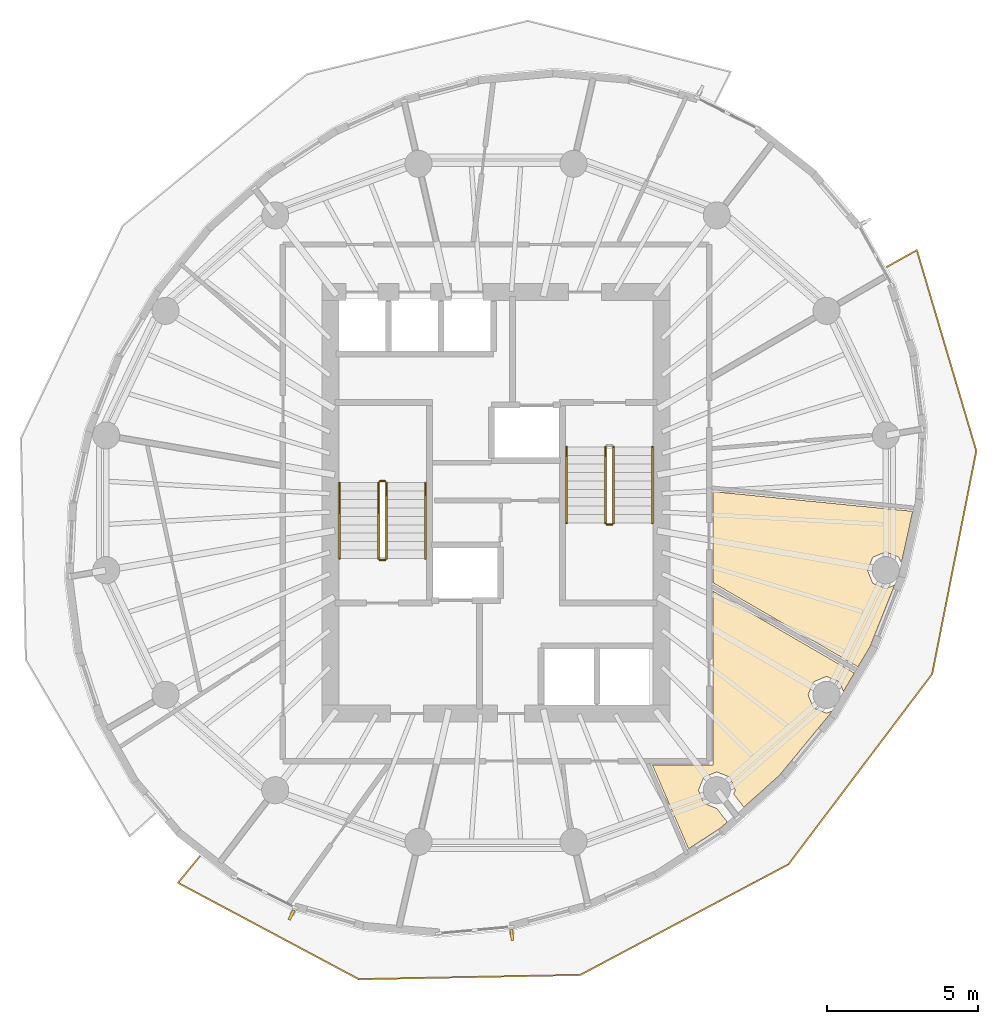
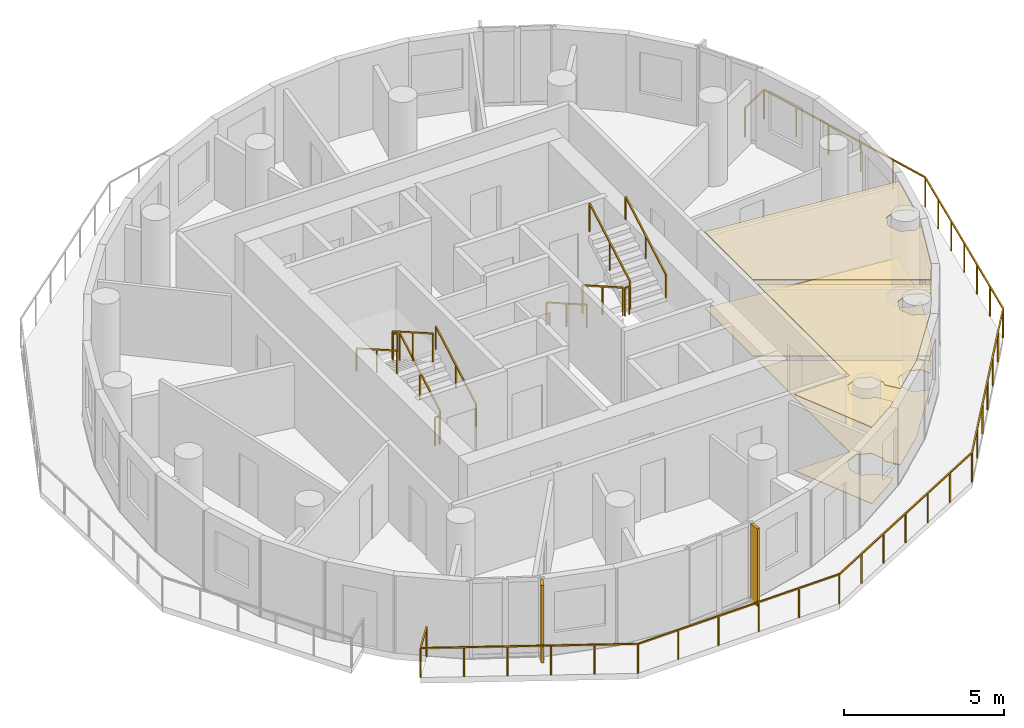
# One storey, part 8 of 10: 12 railings, 4 coverings, 2 shading devices.
"""IFC4 building model written with IfcOpenShell, lengths in metres."""

from ifc_helpers import new_model, si_unit, direction, frame, origin, origin_2d, place, context, subcontext, project, spatial, polyline, rectangle, outline, extrude, material, layer, layer_set, type_object, element, save


model = new_model("IFC4")

# Units and contexts
model_context = context("Model", 3, precision=1e-05, world=origin(), true_north=direction((0.0, 1.0)))
body_context = subcontext(model_context, "Body", "Model", "MODEL_VIEW")
ifc_project = project(units=[si_unit("LENGTHUNIT", "METRE"), si_unit("AREAUNIT", "SQUARE_METRE"), si_unit("VOLUMEUNIT", "CUBIC_METRE"), si_unit("PLANEANGLEUNIT", "RADIAN"), si_unit("MASSUNIT", "GRAM", prefix="KILO")], contexts=[model_context])

# Site, building, storey
site_placement = place(None, origin())
site = spatial("IfcSite", under=ifc_project, at=site_placement, CompositionType="ELEMENT")
building_placement = place(site_placement, origin())
building = spatial("IfcBuilding", under=site, at=building_placement, Name="Veldorim Arch Residences", CompositionType="ELEMENT")
storey_placement = place(building_placement, frame((0.0, 0.0, 188.639892578125)))
storey = spatial("IfcBuildingStorey", under=building, at=storey_placement, Name="L56", CompositionType="ELEMENT", Elevation=188.639892578125)

# Railings
ifc_material_1 = material(Name="Aluminium", Category="aluminium")
railing_type_1 = type_object("IfcRailingType", Name="Balcony & Terrace Laminated Glass Balustrade 1150", PredefinedType="BALUSTRADE", material=ifc_material_1)
railing_1_placement = place(storey_placement, frame((22.165283203125, 12.267822265625, 0.0)))
element("IfcRailing", 1, at=railing_1_placement, inside=storey, type_object=railing_type_1, Name="L56 crescent balcony safety balustrade B", PredefinedType="BALUSTRADE", context=body_context, shape_type="SweptSolid", body=[
    extrude(rectangle(XDim=0.048095703125, YDim=0.048095703125, at=origin_2d()), frame((0.0, 0.0, 1.1259765625), z_axis=(-0.63473942336, -0.772726254525, 0.0), x_axis=(0.772726254525, -0.63473942336, 0.0)), (0.0, 0.0, 1.0), 1.150146484375),
    extrude(rectangle(XDim=0.048095703125, YDim=0.048095703125, at=origin_2d()), frame((-0.72998046875, -0.888671875, 1.1259765625), z_axis=(0.882440269535, -0.470424458019, 0.0), x_axis=(0.470424458019, 0.882440269535, 0.0)), (0.0, 0.0, 1.0), 6.80908203125),
    extrude(rectangle(XDim=0.048095703125, YDim=0.048095703125, at=origin_2d()), frame((5.278564453125, -4.091796875, 1.1259765625), z_axis=(0.999813480167, 0.019313334178, 0.0), x_axis=(-0.019313334178, 0.999813480167, 0.0)), (0.0, 0.0, 1.0), 7.357177734375),
    extrude(rectangle(XDim=0.048095703125, YDim=0.048095703125, at=origin_2d()), frame((12.63427734375, -3.94970703125, 1.1259765625), z_axis=(0.883151640335, 0.469087603944, 0.0), x_axis=(-0.469087603944, 0.883151640335, 0.0)), (0.0, 0.0, 1.0), 7.831298828125),
    extrude(rectangle(XDim=0.048095703125, YDim=0.048095703125, at=origin_2d()), frame((19.550537109375, -0.276123046875, 1.1259765625), z_axis=(0.602542160694, 0.798087053263, 0.0), x_axis=(-0.798087053263, 0.602542160694, 0.0)), (0.0, 0.0, 1.0), 7.91943359375),
    extrude(rectangle(XDim=0.048095703125, YDim=0.048095703125, at=origin_2d()), frame((24.322265625, 6.044189453125, 1.1259765625), z_axis=(0.194176891155, 0.980966531, 0.0), x_axis=(-0.980966531, 0.194176891155, 0.0)), (0.0, 0.0, 1.0), 7.55517578125),
    extrude(rectangle(XDim=0.048095703125, YDim=0.048095703125, at=origin_2d()), frame((25.789306640625, 13.45556640625, 1.1259765625), z_axis=(-0.284062041239, 0.958805901488, 0.0), x_axis=(-0.958805901488, -0.284062041239, 0.0)), (0.0, 0.0, 1.0), 6.95654296875),
    extrude(rectangle(XDim=0.048095703125, YDim=0.048095703125, at=origin_2d()), frame((23.813232421875, 20.12548828125, 1.1259765625), z_axis=(-0.874547582746, -0.484939713278, 0.0), x_axis=(0.484939713278, -0.874547582746, 0.0)), (0.0, 0.0, 1.0), 1.14990234375),
    extrude(rectangle(XDim=0.0419921875, YDim=0.0419921875, at=origin_2d()), origin(), (0.0, 0.0, 1.0), 1.101806640625),
    extrude(rectangle(XDim=0.0419921875, YDim=0.0419921875, at=origin_2d()), frame((-0.72998046875, -0.888671875, 0.0)), (0.0, 0.0, 1.0), 1.101806640625),
    extrude(rectangle(XDim=0.0419921875, YDim=0.0419921875, at=origin_2d()), frame((0.4716796875, -1.529296875, 0.0)), (0.0, 0.0, 1.0), 1.101806640625),
    extrude(rectangle(XDim=0.0419921875, YDim=0.0419921875, at=origin_2d()), frame((1.67333984375, -2.169921875, 0.0)), (0.0, 0.0, 1.0), 1.101806640625),
    extrude(rectangle(XDim=0.0419921875, YDim=0.0419921875, at=origin_2d()), frame((2.875244140625, -2.810546875, 0.0)), (0.0, 0.0, 1.0), 1.101806640625),
    extrude(rectangle(XDim=0.0419921875, YDim=0.0419921875, at=origin_2d()), frame((4.076904296875, -3.451171875, 0.0)), (0.0, 0.0, 1.0), 1.101806640625),
    extrude(rectangle(XDim=0.0419921875, YDim=0.0419921875, at=origin_2d()), frame((5.278564453125, -4.091796875, 0.0)), (0.0, 0.0, 1.0), 1.101806640625),
    extrude(rectangle(XDim=0.0419921875, YDim=0.0419921875, at=origin_2d()), frame((6.749755859375, -4.0634765625, 0.0)), (0.0, 0.0, 1.0), 1.101806640625),
    extrude(rectangle(XDim=0.0419921875, YDim=0.0419921875, at=origin_2d()), frame((8.220947265625, -4.034912109375, 0.0)), (0.0, 0.0, 1.0), 1.101806640625),
    extrude(rectangle(XDim=0.0419921875, YDim=0.0419921875, at=origin_2d()), frame((9.69189453125, -4.006591796875, 0.0)), (0.0, 0.0, 1.0), 1.101806640625),
    extrude(rectangle(XDim=0.0419921875, YDim=0.0419921875, at=origin_2d()), frame((11.1630859375, -3.97802734375, 0.0)), (0.0, 0.0, 1.0), 1.101806640625),
    extrude(rectangle(XDim=0.0419921875, YDim=0.0419921875, at=origin_2d()), frame((12.63427734375, -3.94970703125, 0.0)), (0.0, 0.0, 1.0), 1.101806640625),
    extrude(rectangle(XDim=0.0419921875, YDim=0.0419921875, at=origin_2d()), frame((13.787109375, -3.33740234375, 0.0)), (0.0, 0.0, 1.0), 1.101806640625),
    extrude(rectangle(XDim=0.0419921875, YDim=0.0419921875, at=origin_2d()), frame((14.939697265625, -2.72509765625, 0.0)), (0.0, 0.0, 1.0), 1.101806640625),
    extrude(rectangle(XDim=0.0419921875, YDim=0.0419921875, at=origin_2d()), frame((16.09228515625, -2.11279296875, 0.0)), (0.0, 0.0, 1.0), 1.101806640625),
    extrude(rectangle(XDim=0.0419921875, YDim=0.0419921875, at=origin_2d()), frame((17.2451171875, -1.500732421875, 0.0)), (0.0, 0.0, 1.0), 1.101806640625),
    extrude(rectangle(XDim=0.0419921875, YDim=0.0419921875, at=origin_2d()), frame((18.39794921875, -0.888427734375, 0.0)), (0.0, 0.0, 1.0), 1.101806640625),
    extrude(rectangle(XDim=0.0419921875, YDim=0.0419921875, at=origin_2d()), frame((19.550537109375, -0.276123046875, 0.0)), (0.0, 0.0, 1.0), 1.101806640625),
    extrude(rectangle(XDim=0.0419921875, YDim=0.0419921875, at=origin_2d()), frame((20.345703125, 0.77734375, 0.0)), (0.0, 0.0, 1.0), 1.101806640625),
    extrude(rectangle(XDim=0.0419921875, YDim=0.0419921875, at=origin_2d()), frame((21.14111328125, 1.83056640625, 0.0)), (0.0, 0.0, 1.0), 1.101806640625),
    extrude(rectangle(XDim=0.0419921875, YDim=0.0419921875, at=origin_2d()), frame((21.9365234375, 2.884033203125, 0.0)), (0.0, 0.0, 1.0), 1.101806640625),
    extrude(rectangle(XDim=0.0419921875, YDim=0.0419921875, at=origin_2d()), frame((22.731689453125, 3.9375, 0.0)), (0.0, 0.0, 1.0), 1.101806640625),
    extrude(rectangle(XDim=0.0419921875, YDim=0.0419921875, at=origin_2d()), frame((23.52685546875, 4.99072265625, 0.0)), (0.0, 0.0, 1.0), 1.101806640625),
    extrude(rectangle(XDim=0.0419921875, YDim=0.0419921875, at=origin_2d()), frame((24.322265625, 6.044189453125, 0.0)), (0.0, 0.0, 1.0), 1.101806640625),
    extrude(rectangle(XDim=0.0419921875, YDim=0.0419921875, at=origin_2d()), frame((24.56689453125, 7.279296875, 0.0)), (0.0, 0.0, 1.0), 1.101806640625),
    extrude(rectangle(XDim=0.0419921875, YDim=0.0419921875, at=origin_2d()), frame((24.811279296875, 8.5146484375, 0.0)), (0.0, 0.0, 1.0), 1.101806640625),
    extrude(rectangle(XDim=0.0419921875, YDim=0.0419921875, at=origin_2d()), frame((25.0556640625, 9.75, 0.0)), (0.0, 0.0, 1.0), 1.101806640625),
    extrude(rectangle(XDim=0.0419921875, YDim=0.0419921875, at=origin_2d()), frame((25.30029296875, 10.985107421875, 0.0)), (0.0, 0.0, 1.0), 1.101806640625),
    extrude(rectangle(XDim=0.0419921875, YDim=0.0419921875, at=origin_2d()), frame((25.544921875, 12.22021484375, 0.0)), (0.0, 0.0, 1.0), 1.101806640625),
    extrude(rectangle(XDim=0.0419921875, YDim=0.0419921875, at=origin_2d()), frame((25.789306640625, 13.45556640625, 0.0)), (0.0, 0.0, 1.0), 1.101806640625),
    extrude(rectangle(XDim=0.0419921875, YDim=0.0419921875, at=origin_2d()), frame((25.39404296875, 14.78955078125, 0.0)), (0.0, 0.0, 1.0), 1.101806640625),
    extrude(rectangle(XDim=0.0419921875, YDim=0.0419921875, at=origin_2d()), frame((24.998779296875, 16.12353515625, 0.0)), (0.0, 0.0, 1.0), 1.101806640625),
    extrude(rectangle(XDim=0.0419921875, YDim=0.0419921875, at=origin_2d()), frame((24.603759765625, 17.45751953125, 0.0)), (0.0, 0.0, 1.0), 1.101806640625),
    extrude(rectangle(XDim=0.0419921875, YDim=0.0419921875, at=origin_2d()), frame((24.20849609375, 18.79150390625, 0.0)), (0.0, 0.0, 1.0), 1.101806640625),
    extrude(rectangle(XDim=0.0419921875, YDim=0.0419921875, at=origin_2d()), frame((23.813232421875, 20.12548828125, 0.0)), (0.0, 0.0, 1.0), 1.101806640625),
    extrude(rectangle(XDim=0.0419921875, YDim=0.0419921875, at=origin_2d()), frame((22.8076171875, 19.56787109375, 0.0)), (0.0, 0.0, 1.0), 1.101806640625),
])
ifc_material_2 = material(Name="Steel S355", Category="steel")
railing_type_2 = type_object("IfcRailingType", Name="Galvanised Steel Stair Safety Guardrail 1100", PredefinedType="GUARDRAIL", material=ifc_material_2)
railing_2_placement = place(storey_placement, frame((28.360107421875, 22.14990234375, 0.16015625)))
element("IfcRailing", 2, at=railing_2_placement, inside=storey, type_object=railing_type_2, Name="L56 ST-1 stair guard 1", PredefinedType="GUARDRAIL", context=body_context, shape_type="SweptSolid", body=[
    extrude(rectangle(XDim=0.048095703125, YDim=0.048095703125, at=origin_2d()), frame((0.0, 0.0, 1.076171875), z_axis=(0.0, 0.868253494771, 0.496120820787), x_axis=(-1.0, 0.0, 0.0)), (0.0, 0.0, 1.0), 2.90234375),
    extrude(rectangle(XDim=0.0419921875, YDim=0.0419921875, at=origin_2d()), origin(), (0.0, 0.0, 1.0), 1.052001953125),
    extrude(rectangle(XDim=0.0419921875, YDim=0.0419921875, at=origin_2d()), frame((0.0, 1.260009765625, 0.719970703125)), (0.0, 0.0, 1.0), 1.052001953125),
    extrude(rectangle(XDim=0.0419921875, YDim=0.0419921875, at=origin_2d()), frame((0.0, 2.52001953125, 1.43994140625)), (0.0, 0.0, 1.0), 1.052001953125),
])
railing_3_placement = place(storey_placement, frame((28.31005859375, 24.719970703125, 1.60009765625)))
element("IfcRailing", 3, at=railing_3_placement, inside=storey, type_object=railing_type_2, Name="L56 ST-1 stair guard 2", PredefinedType="GUARDRAIL", context=body_context, shape_type="SweptSolid", body=[
    extrude(rectangle(XDim=0.048095703125, YDim=0.048095703125, at=origin_2d()), frame((0.0, 0.0, 1.076171875), z_axis=(-1.0, 0.0, 0.0), x_axis=(0.0, -1.0, 0.0)), (0.0, 0.0, 1.0), 0.16015625),
    extrude(rectangle(XDim=0.0419921875, YDim=0.0419921875, at=origin_2d()), origin(), (0.0, 0.0, 1.0), 1.052001953125),
    extrude(rectangle(XDim=0.0419921875, YDim=0.0419921875, at=origin_2d()), frame((-0.16015625, 0.0, 0.0)), (0.0, 0.0, 1.0), 1.052001953125),
])
railing_4_placement = place(storey_placement, frame((28.10009765625, 24.669921875, 1.760009765625)))
element("IfcRailing", 4, at=railing_4_placement, inside=storey, type_object=railing_type_2, Name="L56 ST-1 stair guard 3", PredefinedType="GUARDRAIL", context=body_context, shape_type="SweptSolid", body=[
    extrude(rectangle(XDim=0.048095703125, YDim=0.048095703125, at=origin_2d()), frame((0.0, 0.0, 1.076171875), z_axis=(0.0, -0.868217259934, 0.496184229447), x_axis=(1.0, 0.0, 0.0)), (0.0, 0.0, 1.0), 2.902587890625),
    extrude(rectangle(XDim=0.0419921875, YDim=0.0419921875, at=origin_2d()), origin(), (0.0, 0.0, 1.0), 1.052001953125),
    extrude(rectangle(XDim=0.0419921875, YDim=0.0419921875, at=origin_2d()), frame((0.0, -1.260009765625, 0.72021484375)), (0.0, 0.0, 1.0), 1.052001953125),
    extrude(rectangle(XDim=0.0419921875, YDim=0.0419921875, at=origin_2d()), frame((0.0, -2.52001953125, 1.440185546875)), (0.0, 0.0, 1.0), 1.052001953125),
])
railing_5_placement = place(storey_placement, frame((28.31005859375, 22.10009765625, 0.0)))
element("IfcRailing", 5, at=railing_5_placement, inside=storey, type_object=railing_type_2, Name="L56 ST-1 stair guard 4", PredefinedType="GUARDRAIL", context=body_context, shape_type="SweptSolid", body=[
    extrude(rectangle(XDim=0.048095703125, YDim=0.048095703125, at=origin_2d()), frame((0.0, 0.0, 1.076171875), z_axis=(-1.0, 0.0, 0.0), x_axis=(0.0, -1.0, 0.0)), (0.0, 0.0, 1.0), 0.16015625),
    extrude(rectangle(XDim=0.0419921875, YDim=0.0419921875, at=origin_2d()), origin(), (0.0, 0.0, 1.0), 1.052001953125),
    extrude(rectangle(XDim=0.0419921875, YDim=0.0419921875, at=origin_2d()), frame((-0.16015625, 0.0, 0.0)), (0.0, 0.0, 1.0), 1.052001953125),
])
railing_6_placement = place(storey_placement, frame((35.639892578125, 25.85009765625, 0.16015625)))
element("IfcRailing", 6, at=railing_6_placement, inside=storey, type_object=railing_type_2, Name="L56 ST-2 stair guard 1", PredefinedType="GUARDRAIL", context=body_context, shape_type="SweptSolid", body=[
    extrude(rectangle(XDim=0.048095703125, YDim=0.048095703125, at=origin_2d()), frame((0.0, 0.0, 1.076171875), z_axis=(0.0, -0.868253494771, 0.496120820787), x_axis=(1.0, 0.0, 0.0)), (0.0, 0.0, 1.0), 2.90234375),
    extrude(rectangle(XDim=0.0419921875, YDim=0.0419921875, at=origin_2d()), origin(), (0.0, 0.0, 1.0), 1.052001953125),
    extrude(rectangle(XDim=0.0419921875, YDim=0.0419921875, at=origin_2d()), frame((0.0, -1.260009765625, 0.719970703125)), (0.0, 0.0, 1.0), 1.052001953125),
    extrude(rectangle(XDim=0.0419921875, YDim=0.0419921875, at=origin_2d()), frame((0.0, -2.52001953125, 1.43994140625)), (0.0, 0.0, 1.0), 1.052001953125),
])
railing_7_placement = place(storey_placement, frame((35.68994140625, 23.280029296875, 1.60009765625)))
element("IfcRailing", 7, at=railing_7_placement, inside=storey, type_object=railing_type_2, Name="L56 ST-2 stair guard 2", PredefinedType="GUARDRAIL", context=body_context, shape_type="SweptSolid", body=[
    extrude(rectangle(XDim=0.048095703125, YDim=0.048095703125, at=origin_2d()), frame((0.0, 0.0, 1.076171875), z_axis=(1.0, 0.0, 0.0), x_axis=(0.0, 1.0, 0.0)), (0.0, 0.0, 1.0), 0.16015625),
    extrude(rectangle(XDim=0.0419921875, YDim=0.0419921875, at=origin_2d()), origin(), (0.0, 0.0, 1.0), 1.052001953125),
    extrude(rectangle(XDim=0.0419921875, YDim=0.0419921875, at=origin_2d()), frame((0.16015625, 0.0, 0.0)), (0.0, 0.0, 1.0), 1.052001953125),
])
railing_8_placement = place(storey_placement, frame((35.89990234375, 23.330078125, 1.760009765625)))
element("IfcRailing", 8, at=railing_8_placement, inside=storey, type_object=railing_type_2, Name="L56 ST-2 stair guard 3", PredefinedType="GUARDRAIL", context=body_context, shape_type="SweptSolid", body=[
    extrude(rectangle(XDim=0.048095703125, YDim=0.048095703125, at=origin_2d()), frame((0.0, 0.0, 1.076171875), z_axis=(0.0, 0.868217259934, 0.496184229447), x_axis=(-1.0, 0.0, 0.0)), (0.0, 0.0, 1.0), 2.902587890625),
    extrude(rectangle(XDim=0.0419921875, YDim=0.0419921875, at=origin_2d()), origin(), (0.0, 0.0, 1.0), 1.052001953125),
    extrude(rectangle(XDim=0.0419921875, YDim=0.0419921875, at=origin_2d()), frame((0.0, 1.260009765625, 0.72021484375)), (0.0, 0.0, 1.0), 1.052001953125),
    extrude(rectangle(XDim=0.0419921875, YDim=0.0419921875, at=origin_2d()), frame((0.0, 2.52001953125, 1.440185546875)), (0.0, 0.0, 1.0), 1.052001953125),
])

# Coverings
ifc_material_3 = material(Name="Acoustic Gypsum & Mineral Fibre", Category="gypsum")
ifc_layer_1 = layer(ifc_material_3, 0.034912109375, Name="Perforated Acoustic Mineral-Fibre Ceiling 35")
ifc_layer_set_1 = layer_set([ifc_layer_1], Name="Acoustic Gypsum & Mineral Fibre")
covering_type_1 = type_object("IfcCoveringType", Name="Perforated Acoustic Mineral-Fibre Ceiling 35", PredefinedType="CEILING", material=ifc_layer_set_1)
covering_1_placement = place(storey_placement, frame((0.0, 0.0, 2.905029296875)))
element("IfcCovering", 9, at=covering_1_placement, inside=storey, type_object=covering_type_1, Name="L56 acoustic suspended ceiling 01", PredefinedType="CEILING", context=body_context, shape_type="SweptSolid", body=[
    extrude(outline(polyline([(44.4267578125, 19.233642578125), (44.023193359375, 18.5537109375), (39.199951171875, 21.3505859375), (39.199951171875, 24.373779296875), (45.841796875, 23.717529296875), (45.471435546875, 22.04248046875), (45.43701171875, 22.048583984375), (45.377685546875, 22.191650390625), (44.9462890625, 22.370361328125), (44.51513671875, 22.191650390625), (44.33642578125, 21.760498046875), (44.51513671875, 21.3291015625), (44.9462890625, 21.150390625), (45.239013671875, 21.271728515625), (44.4267578125, 19.233642578125)])), origin(), (0.0, 0.0, 1.0), 0.03515625),
])
covering_2_placement = place(storey_placement, frame((0.0, 0.0, 2.905029296875)))
element("IfcCovering", 10, at=covering_2_placement, inside=storey, type_object=covering_type_1, Name="L56 acoustic suspended ceiling 02", PredefinedType="CEILING", context=body_context, shape_type="SweptSolid", body=[
    extrude(outline(polyline([(39.681396484375, 13.398681640625), (39.468017578125, 13.20751953125), (38.3955078125, 12.5087890625), (37.19140625, 15.300048828125), (39.199951171875, 15.300048828125), (39.199951171875, 21.0732421875), (43.900634765625, 18.347412109375), (43.5380859375, 17.736083984375), (43.40673828125, 18.053466796875), (42.975341796875, 18.23193359375), (42.544189453125, 18.053466796875), (42.365478515625, 17.6220703125), (42.544189453125, 17.19091796875), (42.975341796875, 17.01220703125), (43.15185546875, 17.085205078125), (43.095703125, 16.990478515625), (41.425537109375, 14.961181640625), (40.23046875, 13.890625), (39.89208984375, 14.330810546875), (39.943359375, 14.45458984375), (39.764892578125, 14.885986328125), (39.33349609375, 15.064697265625), (38.902099609375, 14.885986328125), (38.7236328125, 14.45458984375), (38.902099609375, 14.0234375), (39.33740234375, 13.846435546875), (39.681396484375, 13.398681640625)])), origin(), (0.0, 0.0, 1.0), 0.03515625),
])
ifc_material_4 = material(Name="Porcelain Ceramic Tile", Category="ceramic")
ifc_layer_2 = layer(ifc_material_4, 0.02001953125, Name="Slip-Resistant Porcelain & Vinyl Floor Finish 20")
ifc_layer_set_2 = layer_set([ifc_layer_2], Name="Porcelain Ceramic Tile")
covering_type_2 = type_object("IfcCoveringType", Name="Slip-Resistant Porcelain & Vinyl Floor Finish 20", PredefinedType="FLOORING", material=ifc_layer_set_2)
covering_3_placement = place(storey_placement, origin())
element("IfcCovering", 11, at=covering_3_placement, inside=storey, type_object=covering_type_2, Name="L56 porcelain floor finish 01", PredefinedType="FLOORING", context=body_context, shape_type="SweptSolid", body=[
    extrude(outline(polyline([(44.4267578125, 19.233642578125), (44.023193359375, 18.5537109375), (39.199951171875, 21.3505859375), (39.199951171875, 24.373779296875), (45.841796875, 23.717529296875), (45.471435546875, 22.04248046875), (45.43701171875, 22.048583984375), (45.377685546875, 22.191650390625), (44.9462890625, 22.370361328125), (44.51513671875, 22.191650390625), (44.33642578125, 21.760498046875), (44.51513671875, 21.3291015625), (44.9462890625, 21.150390625), (45.239013671875, 21.271728515625), (44.4267578125, 19.233642578125)])), origin(), (0.0, 0.0, 1.0), 0.02001953125),
])
covering_4_placement = place(storey_placement, origin())
element("IfcCovering", 12, at=covering_4_placement, inside=storey, type_object=covering_type_2, Name="L56 porcelain floor finish 02", PredefinedType="FLOORING", context=body_context, shape_type="SweptSolid", body=[
    extrude(outline(polyline([(39.681396484375, 13.398681640625), (39.468017578125, 13.20751953125), (38.3955078125, 12.5087890625), (37.19140625, 15.300048828125), (39.199951171875, 15.300048828125), (39.199951171875, 21.0732421875), (43.900634765625, 18.347412109375), (43.5380859375, 17.736083984375), (43.40673828125, 18.053466796875), (42.975341796875, 18.23193359375), (42.544189453125, 18.053466796875), (42.365478515625, 17.6220703125), (42.544189453125, 17.19091796875), (42.975341796875, 17.01220703125), (43.15185546875, 17.085205078125), (43.095703125, 16.990478515625), (41.425537109375, 14.961181640625), (40.23046875, 13.890625), (39.89208984375, 14.330810546875), (39.943359375, 14.45458984375), (39.764892578125, 14.885986328125), (39.33349609375, 15.064697265625), (38.902099609375, 14.885986328125), (38.7236328125, 14.45458984375), (38.902099609375, 14.0234375), (39.33740234375, 13.846435546875), (39.681396484375, 13.398681640625)])), origin(), (0.0, 0.0, 1.0), 0.02001953125),
])

# Railings
ifc_material_5 = material(Name="Stainless Steel", Category="steel")
railing_type_3 = type_object("IfcRailingType", Name="Tubular Steel Continuous Wall Handrail 900", PredefinedType="HANDRAIL", material=ifc_material_5)
railing_9_placement = place(storey_placement, frame((29.659912109375, 22.14990234375, 0.16015625)))
element("IfcRailing", 13, at=railing_9_placement, inside=storey, type_object=railing_type_3, Name="L56 ST-1 stair handrail 1", PredefinedType="HANDRAIL", context=body_context, shape_type="SweptSolid", body=[
    extrude(rectangle(XDim=0.048095703125, YDim=0.048095703125, at=origin_2d()), frame((0.0, 0.0, 0.8759765625), z_axis=(0.0, 0.868253494771, 0.496120820787), x_axis=(-1.0, 0.0, 0.0)), (0.0, 0.0, 1.0), 2.90234375),
    extrude(rectangle(XDim=0.0419921875, YDim=0.0419921875, at=origin_2d()), origin(), (0.0, 0.0, 1.0), 0.851806640625),
    extrude(rectangle(XDim=0.0419921875, YDim=0.0419921875, at=origin_2d()), frame((0.0, 1.260009765625, 0.719970703125)), (0.0, 0.0, 1.0), 0.851806640625),
    extrude(rectangle(XDim=0.0419921875, YDim=0.0419921875, at=origin_2d()), frame((0.0, 2.52001953125, 1.43994140625)), (0.0, 0.0, 1.0), 0.851806640625),
])
railing_10_placement = place(storey_placement, frame((26.800048828125, 24.669921875, 1.760009765625)))
element("IfcRailing", 14, at=railing_10_placement, inside=storey, type_object=railing_type_3, Name="L56 ST-1 stair handrail 2", PredefinedType="HANDRAIL", context=body_context, shape_type="SweptSolid", body=[
    extrude(rectangle(XDim=0.048095703125, YDim=0.048095703125, at=origin_2d()), frame((0.0, 0.0, 0.8759765625), z_axis=(0.0, -0.868217259934, 0.496184229447), x_axis=(1.0, 0.0, 0.0)), (0.0, 0.0, 1.0), 2.902587890625),
    extrude(rectangle(XDim=0.0419921875, YDim=0.0419921875, at=origin_2d()), origin(), (0.0, 0.0, 1.0), 0.851806640625),
    extrude(rectangle(XDim=0.0419921875, YDim=0.0419921875, at=origin_2d()), frame((0.0, -1.260009765625, 0.72021484375)), (0.0, 0.0, 1.0), 0.851806640625),
    extrude(rectangle(XDim=0.0419921875, YDim=0.0419921875, at=origin_2d()), frame((0.0, -2.52001953125, 1.440185546875)), (0.0, 0.0, 1.0), 0.851806640625),
])
railing_11_placement = place(storey_placement, frame((34.340087890625, 25.85009765625, 0.16015625)))
element("IfcRailing", 15, at=railing_11_placement, inside=storey, type_object=railing_type_3, Name="L56 ST-2 stair handrail 1", PredefinedType="HANDRAIL", context=body_context, shape_type="SweptSolid", body=[
    extrude(rectangle(XDim=0.048095703125, YDim=0.048095703125, at=origin_2d()), frame((0.0, 0.0, 0.8759765625), z_axis=(0.0, -0.868253494771, 0.496120820787), x_axis=(1.0, 0.0, 0.0)), (0.0, 0.0, 1.0), 2.90234375),
    extrude(rectangle(XDim=0.0419921875, YDim=0.0419921875, at=origin_2d()), origin(), (0.0, 0.0, 1.0), 0.851806640625),
    extrude(rectangle(XDim=0.0419921875, YDim=0.0419921875, at=origin_2d()), frame((0.0, -1.260009765625, 0.719970703125)), (0.0, 0.0, 1.0), 0.851806640625),
    extrude(rectangle(XDim=0.0419921875, YDim=0.0419921875, at=origin_2d()), frame((0.0, -2.52001953125, 1.43994140625)), (0.0, 0.0, 1.0), 0.851806640625),
])
railing_12_placement = place(storey_placement, frame((37.199951171875, 23.330078125, 1.760009765625)))
element("IfcRailing", 16, at=railing_12_placement, inside=storey, type_object=railing_type_3, Name="L56 ST-2 stair handrail 2", PredefinedType="HANDRAIL", context=body_context, shape_type="SweptSolid", body=[
    extrude(rectangle(XDim=0.048095703125, YDim=0.048095703125, at=origin_2d()), frame((0.0, 0.0, 0.8759765625), z_axis=(0.0, 0.868217259934, 0.496184229447), x_axis=(-1.0, 0.0, 0.0)), (0.0, 0.0, 1.0), 2.902587890625),
    extrude(rectangle(XDim=0.0419921875, YDim=0.0419921875, at=origin_2d()), origin(), (0.0, 0.0, 1.0), 0.851806640625),
    extrude(rectangle(XDim=0.0419921875, YDim=0.0419921875, at=origin_2d()), frame((0.0, 1.260009765625, 0.72021484375)), (0.0, 0.0, 1.0), 0.851806640625),
    extrude(rectangle(XDim=0.0419921875, YDim=0.0419921875, at=origin_2d()), frame((0.0, 2.52001953125, 1.440185546875)), (0.0, 0.0, 1.0), 0.851806640625),
])

# Shading devices
ifc_material_6 = material(Name="Terracotta Ceramic", Category="masonry")
ifc_layer_3 = layer(ifc_material_6, 0.090087890625, Name="Vertical Extruded Terracotta Baguette Sun-Shading Fin")
ifc_layer_set_3 = layer_set([ifc_layer_3], Name="Terracotta Ceramic")
shading_device_type = type_object("IfcShadingDeviceType", Name="Vertical Extruded Terracotta Baguette Sun-Shading Fin", PredefinedType="USERDEFINED", material=ifc_layer_set_3)
for number, where, z_axis, x_axis, name in (
    (17, (25.20849609375, 10.31005859375, 0.000244140625), (0.0, 0.0, 1.0), (-0.893606528733, 0.448851168881, 0.0), "L56 vertical terracotta sun-shading fin 20"),
    (18, (32.52783203125, 9.644775390625, 0.000244140625), (0.0, 0.0, 1.0), (-0.995900201817, -0.090458764201, 0.0), "L56 vertical terracotta sun-shading fin 23"),
):
    element("IfcShadingDevice", number, at=place(storey_placement, frame(where, z_axis=z_axis, x_axis=x_axis)), inside=storey, type_object=shading_device_type, Name=name, ObjectType="FIN", PredefinedType="USERDEFINED", context=body_context, shape_type="SweptSolid", body=[
        extrude(rectangle(XDim=0.090087890625, YDim=0.360107421875, at=origin_2d()), origin(), (0.0, 0.0, 1.0), 2.9599609375),
    ])

save(model, "model.ifc")
